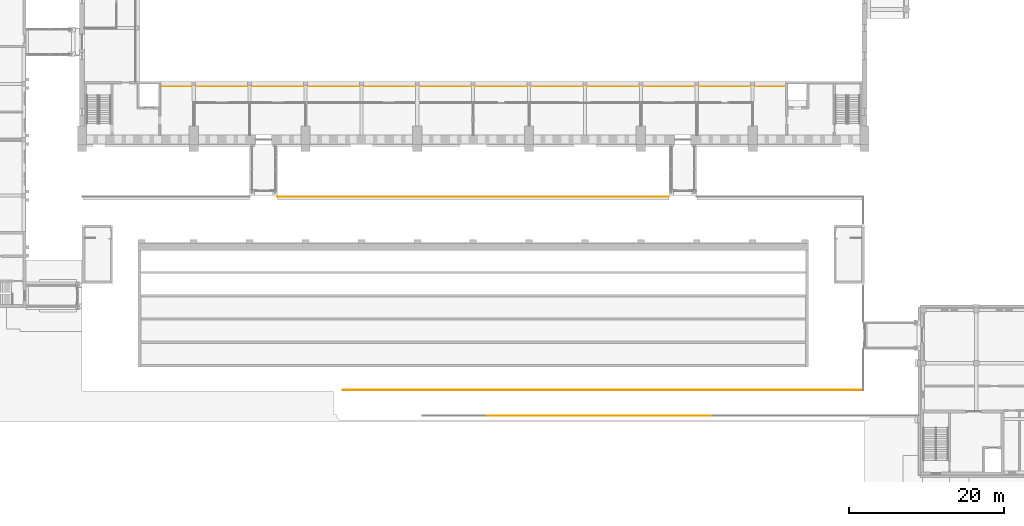
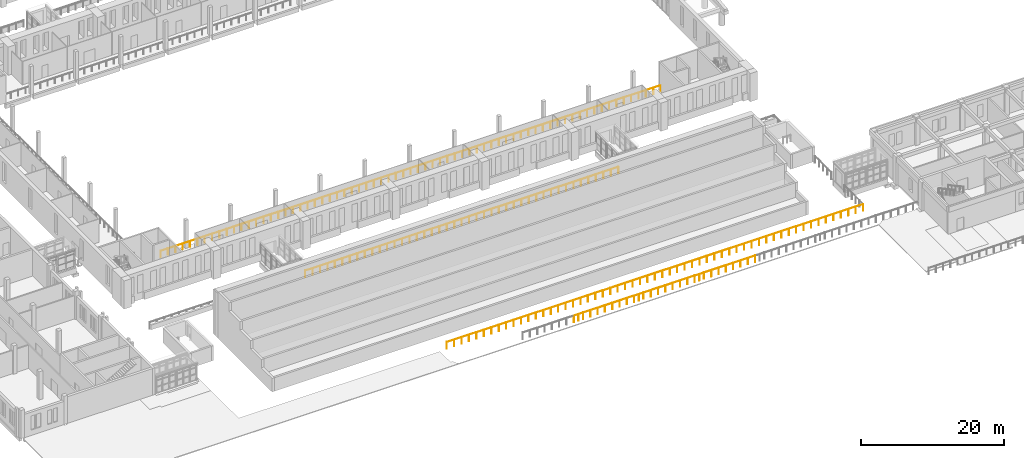
# One storey, part 116 of 131: 9 railings.
"""IFC4 building model written with IfcOpenShell, lengths in metres."""

from ifc_helpers import new_model, si_unit, direction, frame, origin, origin_2d, place, context, subcontext, project, spatial, circle, extrude, material, type_object, element, save


model = new_model("IFC4")

# Units and contexts
model_context = context("Model", 3, precision=1e-05, world=origin(), true_north=direction((0.0, 1.0)))
body_context = subcontext(model_context, "Body", "Model", "MODEL_VIEW")
ifc_project = project(units=[si_unit("LENGTHUNIT", "METRE"), si_unit("AREAUNIT", "SQUARE_METRE"), si_unit("VOLUMEUNIT", "CUBIC_METRE"), si_unit("PLANEANGLEUNIT", "RADIAN"), si_unit("MASSUNIT", "GRAM", prefix="KILO")], contexts=[model_context])

# Site, building, storey
site_placement = place(None, origin())
site = spatial("IfcSite", under=ifc_project, at=site_placement, CompositionType="ELEMENT")
building_placement = place(site_placement, origin())
building = spatial("IfcBuilding", under=site, at=building_placement, Name="Alderwick Market Hall", CompositionType="ELEMENT")
storey_placement = place(building_placement, frame((0.0, 0.0, 4.800048828125)))
storey = spatial("IfcBuildingStorey", under=building, at=storey_placement, Name="L00", CompositionType="ELEMENT", Elevation=4.800048828125)

# Railings
ifc_material_1 = material(Name="Steel ASTM A500 Grade C", Category="steel")
railing_type_1 = type_object("IfcRailingType", Name="A Roof Guard 1100", PredefinedType="GUARDRAIL", material=ifc_material_1)
railing_1_placement = place(storey_placement, frame((75.60009765625, 43.050048828125, 0.0)))
element("IfcRailing", 1, at=railing_1_placement, inside=storey, type_object=railing_type_1, Name="Roof guard", PredefinedType="GUARDRAIL", context=body_context, shape_type="SweptSolid", body=[
    extrude(circle(Radius=0.02392578125, at=origin_2d()), frame((0.0, 0.0, 1.076171875), z_axis=(1.0, 0.0, 0.0), x_axis=(0.0, 1.0, 0.0)), (0.0, 0.0, 1.0), 50.39990234375),
    extrude(circle(Radius=0.02099609375, at=origin_2d()), origin(), (0.0, 0.0, 1.0), 1.052001953125),
    extrude(circle(Radius=0.02099609375, at=origin_2d()), frame((1.199951171875, 0.0, 0.0)), (0.0, 0.0, 1.0), 1.052001953125),
    extrude(circle(Radius=0.02099609375, at=origin_2d()), frame((2.39990234375, 0.0, 0.0)), (0.0, 0.0, 1.0), 1.052001953125),
    extrude(circle(Radius=0.02099609375, at=origin_2d()), frame((3.60009765625, 0.0, 0.0)), (0.0, 0.0, 1.0), 1.052001953125),
    extrude(circle(Radius=0.02099609375, at=origin_2d()), frame((4.800048828125, 0.0, 0.0)), (0.0, 0.0, 1.0), 1.052001953125),
    extrude(circle(Radius=0.02099609375, at=origin_2d()), frame((6.0, 0.0, 0.0)), (0.0, 0.0, 1.0), 1.052001953125),
    extrude(circle(Radius=0.02099609375, at=origin_2d()), frame((7.199951171875, 0.0, 0.0)), (0.0, 0.0, 1.0), 1.052001953125),
    extrude(circle(Radius=0.02099609375, at=origin_2d()), frame((8.39990234375, 0.0, 0.0)), (0.0, 0.0, 1.0), 1.052001953125),
    extrude(circle(Radius=0.02099609375, at=origin_2d()), frame((9.60009765625, 0.0, 0.0)), (0.0, 0.0, 1.0), 1.052001953125),
    extrude(circle(Radius=0.02099609375, at=origin_2d()), frame((10.800048828125, 0.0, 0.0)), (0.0, 0.0, 1.0), 1.052001953125),
    extrude(circle(Radius=0.02099609375, at=origin_2d()), frame((12.0, 0.0, 0.0)), (0.0, 0.0, 1.0), 1.052001953125),
    extrude(circle(Radius=0.02099609375, at=origin_2d()), frame((13.199951171875, 0.0, 0.0)), (0.0, 0.0, 1.0), 1.052001953125),
    extrude(circle(Radius=0.02099609375, at=origin_2d()), frame((14.39990234375, 0.0, 0.0)), (0.0, 0.0, 1.0), 1.052001953125),
    extrude(circle(Radius=0.02099609375, at=origin_2d()), frame((15.599853515625, 0.0, 0.0)), (0.0, 0.0, 1.0), 1.052001953125),
    extrude(circle(Radius=0.02099609375, at=origin_2d()), frame((16.800048828125, 0.0, 0.0)), (0.0, 0.0, 1.0), 1.052001953125),
    extrude(circle(Radius=0.02099609375, at=origin_2d()), frame((18.0, 0.0, 0.0)), (0.0, 0.0, 1.0), 1.052001953125),
    extrude(circle(Radius=0.02099609375, at=origin_2d()), frame((19.199951171875, 0.0, 0.0)), (0.0, 0.0, 1.0), 1.052001953125),
    extrude(circle(Radius=0.02099609375, at=origin_2d()), frame((20.39990234375, 0.0, 0.0)), (0.0, 0.0, 1.0), 1.052001953125),
    extrude(circle(Radius=0.02099609375, at=origin_2d()), frame((21.599853515625, 0.0, 0.0)), (0.0, 0.0, 1.0), 1.052001953125),
    extrude(circle(Radius=0.02099609375, at=origin_2d()), frame((22.800048828125, 0.0, 0.0)), (0.0, 0.0, 1.0), 1.052001953125),
    extrude(circle(Radius=0.02099609375, at=origin_2d()), frame((24.0, 0.0, 0.0)), (0.0, 0.0, 1.0), 1.052001953125),
    extrude(circle(Radius=0.02099609375, at=origin_2d()), frame((25.199951171875, 0.0, 0.0)), (0.0, 0.0, 1.0), 1.052001953125),
    extrude(circle(Radius=0.02099609375, at=origin_2d()), frame((26.39990234375, 0.0, 0.0)), (0.0, 0.0, 1.0), 1.052001953125),
    extrude(circle(Radius=0.02099609375, at=origin_2d()), frame((27.599853515625, 0.0, 0.0)), (0.0, 0.0, 1.0), 1.052001953125),
    extrude(circle(Radius=0.02099609375, at=origin_2d()), frame((28.800048828125, 0.0, 0.0)), (0.0, 0.0, 1.0), 1.052001953125),
    extrude(circle(Radius=0.02099609375, at=origin_2d()), frame((30.0, 0.0, 0.0)), (0.0, 0.0, 1.0), 1.052001953125),
    extrude(circle(Radius=0.02099609375, at=origin_2d()), frame((31.199951171875, 0.0, 0.0)), (0.0, 0.0, 1.0), 1.052001953125),
    extrude(circle(Radius=0.02099609375, at=origin_2d()), frame((32.39990234375, 0.0, 0.0)), (0.0, 0.0, 1.0), 1.052001953125),
    extrude(circle(Radius=0.02099609375, at=origin_2d()), frame((33.599853515625, 0.0, 0.0)), (0.0, 0.0, 1.0), 1.052001953125),
    extrude(circle(Radius=0.02099609375, at=origin_2d()), frame((34.800048828125, 0.0, 0.0)), (0.0, 0.0, 1.0), 1.052001953125),
    extrude(circle(Radius=0.02099609375, at=origin_2d()), frame((36.0, 0.0, 0.0)), (0.0, 0.0, 1.0), 1.052001953125),
    extrude(circle(Radius=0.02099609375, at=origin_2d()), frame((37.199951171875, 0.0, 0.0)), (0.0, 0.0, 1.0), 1.052001953125),
    extrude(circle(Radius=0.02099609375, at=origin_2d()), frame((38.39990234375, 0.0, 0.0)), (0.0, 0.0, 1.0), 1.052001953125),
    extrude(circle(Radius=0.02099609375, at=origin_2d()), frame((39.599853515625, 0.0, 0.0)), (0.0, 0.0, 1.0), 1.052001953125),
    extrude(circle(Radius=0.02099609375, at=origin_2d()), frame((40.7998046875, 0.0, 0.0)), (0.0, 0.0, 1.0), 1.052001953125),
    extrude(circle(Radius=0.02099609375, at=origin_2d()), frame((42.0, 0.0, 0.0)), (0.0, 0.0, 1.0), 1.052001953125),
    extrude(circle(Radius=0.02099609375, at=origin_2d()), frame((43.199951171875, 0.0, 0.0)), (0.0, 0.0, 1.0), 1.052001953125),
    extrude(circle(Radius=0.02099609375, at=origin_2d()), frame((44.39990234375, 0.0, 0.0)), (0.0, 0.0, 1.0), 1.052001953125),
    extrude(circle(Radius=0.02099609375, at=origin_2d()), frame((45.599853515625, 0.0, 0.0)), (0.0, 0.0, 1.0), 1.052001953125),
    extrude(circle(Radius=0.02099609375, at=origin_2d()), frame((46.7998046875, 0.0, 0.0)), (0.0, 0.0, 1.0), 1.052001953125),
    extrude(circle(Radius=0.02099609375, at=origin_2d()), frame((48.0, 0.0, 0.0)), (0.0, 0.0, 1.0), 1.052001953125),
    extrude(circle(Radius=0.02099609375, at=origin_2d()), frame((49.199951171875, 0.0, 0.0)), (0.0, 0.0, 1.0), 1.052001953125),
    extrude(circle(Radius=0.02099609375, at=origin_2d()), frame((50.39990234375, 0.0, 0.0)), (0.0, 0.0, 1.0), 1.052001953125),
])
railing_2_placement = place(storey_placement, frame((84.0, 18.14990234375, 0.0)))
element("IfcRailing", 2, at=railing_2_placement, inside=storey, type_object=railing_type_1, Name="Roof guard", PredefinedType="GUARDRAIL", context=body_context, shape_type="SweptSolid", body=[
    extrude(circle(Radius=0.02392578125, at=origin_2d()), frame((0.0, 0.0, 1.076171875), z_axis=(1.0, 0.0, 0.0), x_axis=(0.0, 1.0, 0.0)), (0.0, 0.0, 1.0), 67.050048828125),
    extrude(circle(Radius=0.02099609375, at=origin_2d()), origin(), (0.0, 0.0, 1.0), 1.052001953125),
    extrude(circle(Radius=0.02099609375, at=origin_2d()), frame((1.197265625, 0.0, 0.0)), (0.0, 0.0, 1.0), 1.052001953125),
    extrude(circle(Radius=0.02099609375, at=origin_2d()), frame((2.39453125, 0.0, 0.0)), (0.0, 0.0, 1.0), 1.052001953125),
    extrude(circle(Radius=0.02099609375, at=origin_2d()), frame((3.592041015625, 0.0, 0.0)), (0.0, 0.0, 1.0), 1.052001953125),
    extrude(circle(Radius=0.02099609375, at=origin_2d()), frame((4.789306640625, 0.0, 0.0)), (0.0, 0.0, 1.0), 1.052001953125),
    extrude(circle(Radius=0.02099609375, at=origin_2d()), frame((5.986572265625, 0.0, 0.0)), (0.0, 0.0, 1.0), 1.052001953125),
    extrude(circle(Radius=0.02099609375, at=origin_2d()), frame((7.183837890625, 0.0, 0.0)), (0.0, 0.0, 1.0), 1.052001953125),
    extrude(circle(Radius=0.02099609375, at=origin_2d()), frame((8.38134765625, 0.0, 0.0)), (0.0, 0.0, 1.0), 1.052001953125),
    extrude(circle(Radius=0.02099609375, at=origin_2d()), frame((9.57861328125, 0.0, 0.0)), (0.0, 0.0, 1.0), 1.052001953125),
    extrude(circle(Radius=0.02099609375, at=origin_2d()), frame((10.77587890625, 0.0, 0.0)), (0.0, 0.0, 1.0), 1.052001953125),
    extrude(circle(Radius=0.02099609375, at=origin_2d()), frame((11.97314453125, 0.0, 0.0)), (0.0, 0.0, 1.0), 1.052001953125),
    extrude(circle(Radius=0.02099609375, at=origin_2d()), frame((13.170654296875, 0.0, 0.0)), (0.0, 0.0, 1.0), 1.052001953125),
    extrude(circle(Radius=0.02099609375, at=origin_2d()), frame((14.367919921875, 0.0, 0.0)), (0.0, 0.0, 1.0), 1.052001953125),
    extrude(circle(Radius=0.02099609375, at=origin_2d()), frame((15.565185546875, 0.0, 0.0)), (0.0, 0.0, 1.0), 1.052001953125),
    extrude(circle(Radius=0.02099609375, at=origin_2d()), frame((16.762451171875, 0.0, 0.0)), (0.0, 0.0, 1.0), 1.052001953125),
    extrude(circle(Radius=0.02099609375, at=origin_2d()), frame((17.959716796875, 0.0, 0.0)), (0.0, 0.0, 1.0), 1.052001953125),
    extrude(circle(Radius=0.02099609375, at=origin_2d()), frame((19.1572265625, 0.0, 0.0)), (0.0, 0.0, 1.0), 1.052001953125),
    extrude(circle(Radius=0.02099609375, at=origin_2d()), frame((20.3544921875, 0.0, 0.0)), (0.0, 0.0, 1.0), 1.052001953125),
    extrude(circle(Radius=0.02099609375, at=origin_2d()), frame((21.5517578125, 0.0, 0.0)), (0.0, 0.0, 1.0), 1.052001953125),
    extrude(circle(Radius=0.02099609375, at=origin_2d()), frame((22.7490234375, 0.0, 0.0)), (0.0, 0.0, 1.0), 1.052001953125),
    extrude(circle(Radius=0.02099609375, at=origin_2d()), frame((23.946533203125, 0.0, 0.0)), (0.0, 0.0, 1.0), 1.052001953125),
    extrude(circle(Radius=0.02099609375, at=origin_2d()), frame((25.143798828125, 0.0, 0.0)), (0.0, 0.0, 1.0), 1.052001953125),
    extrude(circle(Radius=0.02099609375, at=origin_2d()), frame((26.341064453125, 0.0, 0.0)), (0.0, 0.0, 1.0), 1.052001953125),
    extrude(circle(Radius=0.02099609375, at=origin_2d()), frame((27.538330078125, 0.0, 0.0)), (0.0, 0.0, 1.0), 1.052001953125),
    extrude(circle(Radius=0.02099609375, at=origin_2d()), frame((28.73583984375, 0.0, 0.0)), (0.0, 0.0, 1.0), 1.052001953125),
    extrude(circle(Radius=0.02099609375, at=origin_2d()), frame((29.93310546875, 0.0, 0.0)), (0.0, 0.0, 1.0), 1.052001953125),
    extrude(circle(Radius=0.02099609375, at=origin_2d()), frame((31.13037109375, 0.0, 0.0)), (0.0, 0.0, 1.0), 1.052001953125),
    extrude(circle(Radius=0.02099609375, at=origin_2d()), frame((32.32763671875, 0.0, 0.0)), (0.0, 0.0, 1.0), 1.052001953125),
    extrude(circle(Radius=0.02099609375, at=origin_2d()), frame((33.52490234375, 0.0, 0.0)), (0.0, 0.0, 1.0), 1.052001953125),
    extrude(circle(Radius=0.02099609375, at=origin_2d()), frame((34.722412109375, 0.0, 0.0)), (0.0, 0.0, 1.0), 1.052001953125),
    extrude(circle(Radius=0.02099609375, at=origin_2d()), frame((35.919677734375, 0.0, 0.0)), (0.0, 0.0, 1.0), 1.052001953125),
    extrude(circle(Radius=0.02099609375, at=origin_2d()), frame((37.116943359375, 0.0, 0.0)), (0.0, 0.0, 1.0), 1.052001953125),
    extrude(circle(Radius=0.02099609375, at=origin_2d()), frame((38.314208984375, 0.0, 0.0)), (0.0, 0.0, 1.0), 1.052001953125),
    extrude(circle(Radius=0.02099609375, at=origin_2d()), frame((39.51171875, 0.0, 0.0)), (0.0, 0.0, 1.0), 1.052001953125),
    extrude(circle(Radius=0.02099609375, at=origin_2d()), frame((40.708984375, 0.0, 0.0)), (0.0, 0.0, 1.0), 1.052001953125),
    extrude(circle(Radius=0.02099609375, at=origin_2d()), frame((41.90625, 0.0, 0.0)), (0.0, 0.0, 1.0), 1.052001953125),
    extrude(circle(Radius=0.02099609375, at=origin_2d()), frame((43.103515625, 0.0, 0.0)), (0.0, 0.0, 1.0), 1.052001953125),
    extrude(circle(Radius=0.02099609375, at=origin_2d()), frame((44.301025390625, 0.0, 0.0)), (0.0, 0.0, 1.0), 1.052001953125),
    extrude(circle(Radius=0.02099609375, at=origin_2d()), frame((45.498291015625, 0.0, 0.0)), (0.0, 0.0, 1.0), 1.052001953125),
    extrude(circle(Radius=0.02099609375, at=origin_2d()), frame((46.695556640625, 0.0, 0.0)), (0.0, 0.0, 1.0), 1.052001953125),
    extrude(circle(Radius=0.02099609375, at=origin_2d()), frame((47.892822265625, 0.0, 0.0)), (0.0, 0.0, 1.0), 1.052001953125),
    extrude(circle(Radius=0.02099609375, at=origin_2d()), frame((49.09033203125, 0.0, 0.0)), (0.0, 0.0, 1.0), 1.052001953125),
    extrude(circle(Radius=0.02099609375, at=origin_2d()), frame((50.28759765625, 0.0, 0.0)), (0.0, 0.0, 1.0), 1.052001953125),
    extrude(circle(Radius=0.02099609375, at=origin_2d()), frame((51.48486328125, 0.0, 0.0)), (0.0, 0.0, 1.0), 1.052001953125),
    extrude(circle(Radius=0.02099609375, at=origin_2d()), frame((52.68212890625, 0.0, 0.0)), (0.0, 0.0, 1.0), 1.052001953125),
    extrude(circle(Radius=0.02099609375, at=origin_2d()), frame((53.87939453125, 0.0, 0.0)), (0.0, 0.0, 1.0), 1.052001953125),
    extrude(circle(Radius=0.02099609375, at=origin_2d()), frame((55.076904296875, 0.0, 0.0)), (0.0, 0.0, 1.0), 1.052001953125),
    extrude(circle(Radius=0.02099609375, at=origin_2d()), frame((56.274169921875, 0.0, 0.0)), (0.0, 0.0, 1.0), 1.052001953125),
    extrude(circle(Radius=0.02099609375, at=origin_2d()), frame((57.471435546875, 0.0, 0.0)), (0.0, 0.0, 1.0), 1.052001953125),
    extrude(circle(Radius=0.02099609375, at=origin_2d()), frame((58.668701171875, 0.0, 0.0)), (0.0, 0.0, 1.0), 1.052001953125),
    extrude(circle(Radius=0.02099609375, at=origin_2d()), frame((59.8662109375, 0.0, 0.0)), (0.0, 0.0, 1.0), 1.052001953125),
    extrude(circle(Radius=0.02099609375, at=origin_2d()), frame((61.0634765625, 0.0, 0.0)), (0.0, 0.0, 1.0), 1.052001953125),
    extrude(circle(Radius=0.02099609375, at=origin_2d()), frame((62.2607421875, 0.0, 0.0)), (0.0, 0.0, 1.0), 1.052001953125),
    extrude(circle(Radius=0.02099609375, at=origin_2d()), frame((63.4580078125, 0.0, 0.0)), (0.0, 0.0, 1.0), 1.052001953125),
    extrude(circle(Radius=0.02099609375, at=origin_2d()), frame((64.655517578125, 0.0, 0.0)), (0.0, 0.0, 1.0), 1.052001953125),
    extrude(circle(Radius=0.02099609375, at=origin_2d()), frame((65.852783203125, 0.0, 0.0)), (0.0, 0.0, 1.0), 1.052001953125),
    extrude(circle(Radius=0.02099609375, at=origin_2d()), frame((67.050048828125, 0.0, 0.0)), (0.0, 0.0, 1.0), 1.052001953125),
])
ifc_material_2 = material(Name="Steel, painted", Category="steel")
railing_type_2 = type_object("IfcRailingType", Name="H Guard 1100", PredefinedType="GUARDRAIL", material=ifc_material_2)
railing_3_placement = place(storey_placement, frame((60.550048828125, 57.300048828125, 0.0)))
element("IfcRailing", 3, at=railing_3_placement, inside=storey, type_object=railing_type_2, Name="Gallery guard S L00", PredefinedType="GUARDRAIL", context=body_context, shape_type="SweptSolid", body=[
    extrude(circle(Radius=0.02392578125, at=origin_2d()), frame((0.0, 0.0, 1.076171875), z_axis=(1.0, 0.0, 0.0), x_axis=(0.0, 1.0, 0.0)), (0.0, 0.0, 1.0), 80.5),
    extrude(circle(Radius=0.02099609375, at=origin_2d()), origin(), (0.0, 0.0, 1.0), 1.052001953125),
    extrude(circle(Radius=0.02099609375, at=origin_2d()), frame((1.183837890625, 0.0, 0.0)), (0.0, 0.0, 1.0), 1.052001953125),
    extrude(circle(Radius=0.02099609375, at=origin_2d()), frame((2.36767578125, 0.0, 0.0)), (0.0, 0.0, 1.0), 1.052001953125),
    extrude(circle(Radius=0.02099609375, at=origin_2d()), frame((3.551513671875, 0.0, 0.0)), (0.0, 0.0, 1.0), 1.052001953125),
    extrude(circle(Radius=0.02099609375, at=origin_2d()), frame((4.7353515625, 0.0, 0.0)), (0.0, 0.0, 1.0), 1.052001953125),
    extrude(circle(Radius=0.02099609375, at=origin_2d()), frame((5.919189453125, 0.0, 0.0)), (0.0, 0.0, 1.0), 1.052001953125),
    extrude(circle(Radius=0.02099609375, at=origin_2d()), frame((7.10302734375, 0.0, 0.0)), (0.0, 0.0, 1.0), 1.052001953125),
    extrude(circle(Radius=0.02099609375, at=origin_2d()), frame((8.286865234375, 0.0, 0.0)), (0.0, 0.0, 1.0), 1.052001953125),
    extrude(circle(Radius=0.02099609375, at=origin_2d()), frame((9.470703125, 0.0, 0.0)), (0.0, 0.0, 1.0), 1.052001953125),
    extrude(circle(Radius=0.02099609375, at=origin_2d()), frame((10.654296875, 0.0, 0.0)), (0.0, 0.0, 1.0), 1.052001953125),
    extrude(circle(Radius=0.02099609375, at=origin_2d()), frame((11.838134765625, 0.0, 0.0)), (0.0, 0.0, 1.0), 1.052001953125),
    extrude(circle(Radius=0.02099609375, at=origin_2d()), frame((13.02197265625, 0.0, 0.0)), (0.0, 0.0, 1.0), 1.052001953125),
    extrude(circle(Radius=0.02099609375, at=origin_2d()), frame((14.205810546875, 0.0, 0.0)), (0.0, 0.0, 1.0), 1.052001953125),
    extrude(circle(Radius=0.02099609375, at=origin_2d()), frame((15.3896484375, 0.0, 0.0)), (0.0, 0.0, 1.0), 1.052001953125),
    extrude(circle(Radius=0.02099609375, at=origin_2d()), frame((16.573486328125, 0.0, 0.0)), (0.0, 0.0, 1.0), 1.052001953125),
    extrude(circle(Radius=0.02099609375, at=origin_2d()), frame((17.75732421875, 0.0, 0.0)), (0.0, 0.0, 1.0), 1.052001953125),
    extrude(circle(Radius=0.02099609375, at=origin_2d()), frame((18.941162109375, 0.0, 0.0)), (0.0, 0.0, 1.0), 1.052001953125),
    extrude(circle(Radius=0.02099609375, at=origin_2d()), frame((20.125, 0.0, 0.0)), (0.0, 0.0, 1.0), 1.052001953125),
    extrude(circle(Radius=0.02099609375, at=origin_2d()), frame((21.308837890625, 0.0, 0.0)), (0.0, 0.0, 1.0), 1.052001953125),
    extrude(circle(Radius=0.02099609375, at=origin_2d()), frame((22.49267578125, 0.0, 0.0)), (0.0, 0.0, 1.0), 1.052001953125),
    extrude(circle(Radius=0.02099609375, at=origin_2d()), frame((23.676513671875, 0.0, 0.0)), (0.0, 0.0, 1.0), 1.052001953125),
    extrude(circle(Radius=0.02099609375, at=origin_2d()), frame((24.8603515625, 0.0, 0.0)), (0.0, 0.0, 1.0), 1.052001953125),
    extrude(circle(Radius=0.02099609375, at=origin_2d()), frame((26.044189453125, 0.0, 0.0)), (0.0, 0.0, 1.0), 1.052001953125),
    extrude(circle(Radius=0.02099609375, at=origin_2d()), frame((27.22802734375, 0.0, 0.0)), (0.0, 0.0, 1.0), 1.052001953125),
    extrude(circle(Radius=0.02099609375, at=origin_2d()), frame((28.411865234375, 0.0, 0.0)), (0.0, 0.0, 1.0), 1.052001953125),
    extrude(circle(Radius=0.02099609375, at=origin_2d()), frame((29.595703125, 0.0, 0.0)), (0.0, 0.0, 1.0), 1.052001953125),
    extrude(circle(Radius=0.02099609375, at=origin_2d()), frame((30.779296875, 0.0, 0.0)), (0.0, 0.0, 1.0), 1.052001953125),
    extrude(circle(Radius=0.02099609375, at=origin_2d()), frame((31.963134765625, 0.0, 0.0)), (0.0, 0.0, 1.0), 1.052001953125),
    extrude(circle(Radius=0.02099609375, at=origin_2d()), frame((33.14697265625, 0.0, 0.0)), (0.0, 0.0, 1.0), 1.052001953125),
    extrude(circle(Radius=0.02099609375, at=origin_2d()), frame((34.330810546875, 0.0, 0.0)), (0.0, 0.0, 1.0), 1.052001953125),
    extrude(circle(Radius=0.02099609375, at=origin_2d()), frame((35.5146484375, 0.0, 0.0)), (0.0, 0.0, 1.0), 1.052001953125),
    extrude(circle(Radius=0.02099609375, at=origin_2d()), frame((36.698486328125, 0.0, 0.0)), (0.0, 0.0, 1.0), 1.052001953125),
    extrude(circle(Radius=0.02099609375, at=origin_2d()), frame((37.88232421875, 0.0, 0.0)), (0.0, 0.0, 1.0), 1.052001953125),
    extrude(circle(Radius=0.02099609375, at=origin_2d()), frame((39.066162109375, 0.0, 0.0)), (0.0, 0.0, 1.0), 1.052001953125),
    extrude(circle(Radius=0.02099609375, at=origin_2d()), frame((40.25, 0.0, 0.0)), (0.0, 0.0, 1.0), 1.052001953125),
    extrude(circle(Radius=0.02099609375, at=origin_2d()), frame((41.433837890625, 0.0, 0.0)), (0.0, 0.0, 1.0), 1.052001953125),
    extrude(circle(Radius=0.02099609375, at=origin_2d()), frame((42.61767578125, 0.0, 0.0)), (0.0, 0.0, 1.0), 1.052001953125),
    extrude(circle(Radius=0.02099609375, at=origin_2d()), frame((43.801513671875, 0.0, 0.0)), (0.0, 0.0, 1.0), 1.052001953125),
    extrude(circle(Radius=0.02099609375, at=origin_2d()), frame((44.9853515625, 0.0, 0.0)), (0.0, 0.0, 1.0), 1.052001953125),
    extrude(circle(Radius=0.02099609375, at=origin_2d()), frame((46.169189453125, 0.0, 0.0)), (0.0, 0.0, 1.0), 1.052001953125),
    extrude(circle(Radius=0.02099609375, at=origin_2d()), frame((47.35302734375, 0.0, 0.0)), (0.0, 0.0, 1.0), 1.052001953125),
    extrude(circle(Radius=0.02099609375, at=origin_2d()), frame((48.536865234375, 0.0, 0.0)), (0.0, 0.0, 1.0), 1.052001953125),
    extrude(circle(Radius=0.02099609375, at=origin_2d()), frame((49.720703125, 0.0, 0.0)), (0.0, 0.0, 1.0), 1.052001953125),
    extrude(circle(Radius=0.02099609375, at=origin_2d()), frame((50.904296875, 0.0, 0.0)), (0.0, 0.0, 1.0), 1.052001953125),
    extrude(circle(Radius=0.02099609375, at=origin_2d()), frame((52.088134765625, 0.0, 0.0)), (0.0, 0.0, 1.0), 1.052001953125),
    extrude(circle(Radius=0.02099609375, at=origin_2d()), frame((53.27197265625, 0.0, 0.0)), (0.0, 0.0, 1.0), 1.052001953125),
    extrude(circle(Radius=0.02099609375, at=origin_2d()), frame((54.455810546875, 0.0, 0.0)), (0.0, 0.0, 1.0), 1.052001953125),
    extrude(circle(Radius=0.02099609375, at=origin_2d()), frame((55.6396484375, 0.0, 0.0)), (0.0, 0.0, 1.0), 1.052001953125),
    extrude(circle(Radius=0.02099609375, at=origin_2d()), frame((56.823486328125, 0.0, 0.0)), (0.0, 0.0, 1.0), 1.052001953125),
    extrude(circle(Radius=0.02099609375, at=origin_2d()), frame((58.00732421875, 0.0, 0.0)), (0.0, 0.0, 1.0), 1.052001953125),
    extrude(circle(Radius=0.02099609375, at=origin_2d()), frame((59.191162109375, 0.0, 0.0)), (0.0, 0.0, 1.0), 1.052001953125),
    extrude(circle(Radius=0.02099609375, at=origin_2d()), frame((60.375, 0.0, 0.0)), (0.0, 0.0, 1.0), 1.052001953125),
    extrude(circle(Radius=0.02099609375, at=origin_2d()), frame((61.558837890625, 0.0, 0.0)), (0.0, 0.0, 1.0), 1.052001953125),
    extrude(circle(Radius=0.02099609375, at=origin_2d()), frame((62.74267578125, 0.0, 0.0)), (0.0, 0.0, 1.0), 1.052001953125),
    extrude(circle(Radius=0.02099609375, at=origin_2d()), frame((63.926513671875, 0.0, 0.0)), (0.0, 0.0, 1.0), 1.052001953125),
    extrude(circle(Radius=0.02099609375, at=origin_2d()), frame((65.1103515625, 0.0, 0.0)), (0.0, 0.0, 1.0), 1.052001953125),
    extrude(circle(Radius=0.02099609375, at=origin_2d()), frame((66.294189453125, 0.0, 0.0)), (0.0, 0.0, 1.0), 1.052001953125),
    extrude(circle(Radius=0.02099609375, at=origin_2d()), frame((67.47802734375, 0.0, 0.0)), (0.0, 0.0, 1.0), 1.052001953125),
    extrude(circle(Radius=0.02099609375, at=origin_2d()), frame((68.661865234375, 0.0, 0.0)), (0.0, 0.0, 1.0), 1.052001953125),
    extrude(circle(Radius=0.02099609375, at=origin_2d()), frame((69.845703125, 0.0, 0.0)), (0.0, 0.0, 1.0), 1.052001953125),
    extrude(circle(Radius=0.02099609375, at=origin_2d()), frame((71.029296875, 0.0, 0.0)), (0.0, 0.0, 1.0), 1.052001953125),
    extrude(circle(Radius=0.02099609375, at=origin_2d()), frame((72.213134765625, 0.0, 0.0)), (0.0, 0.0, 1.0), 1.052001953125),
    extrude(circle(Radius=0.02099609375, at=origin_2d()), frame((73.39697265625, 0.0, 0.0)), (0.0, 0.0, 1.0), 1.052001953125),
    extrude(circle(Radius=0.02099609375, at=origin_2d()), frame((74.580810546875, 0.0, 0.0)), (0.0, 0.0, 1.0), 1.052001953125),
    extrude(circle(Radius=0.02099609375, at=origin_2d()), frame((75.7646484375, 0.0, 0.0)), (0.0, 0.0, 1.0), 1.052001953125),
    extrude(circle(Radius=0.02099609375, at=origin_2d()), frame((76.948486328125, 0.0, 0.0)), (0.0, 0.0, 1.0), 1.052001953125),
    extrude(circle(Radius=0.02099609375, at=origin_2d()), frame((78.13232421875, 0.0, 0.0)), (0.0, 0.0, 1.0), 1.052001953125),
    extrude(circle(Radius=0.02099609375, at=origin_2d()), frame((79.316162109375, 0.0, 0.0)), (0.0, 0.0, 1.0), 1.052001953125),
    extrude(circle(Radius=0.02099609375, at=origin_2d()), frame((80.5, 0.0, 0.0)), (0.0, 0.0, 1.0), 1.052001953125),
])
railing_type_3 = type_object("IfcRailingType", Name="S Guard 1100", PredefinedType="GUARDRAIL", material=ifc_material_1)
railing_4_placement = place(storey_placement, frame((131.742919921875, 14.85009765625, 0.0)))
element("IfcRailing", 4, at=railing_4_placement, inside=storey, type_object=railing_type_3, Name="Guard S.06", PredefinedType="GUARDRAIL", context=body_context, shape_type="SweptSolid", body=[
    extrude(circle(Radius=0.02490234375, at=origin_2d()), frame((0.0, 0.0, 1.0751953125), z_axis=(-1.0, 0.0, 0.0), x_axis=(0.0, -1.0, 0.0)), (0.0, 0.0, 1.0), 8.22900390625),
    extrude(circle(Radius=0.02001953125, at=origin_2d()), origin(), (0.0, 0.0, 1.0), 1.050048828125),
    extrude(circle(Radius=0.02001953125, at=origin_2d()), frame((-1.175537109375, 0.0, 0.0)), (0.0, 0.0, 1.0), 1.050048828125),
    extrude(circle(Radius=0.02001953125, at=origin_2d()), frame((-2.35107421875, 0.0, 0.0)), (0.0, 0.0, 1.0), 1.050048828125),
    extrude(circle(Radius=0.02001953125, at=origin_2d()), frame((-3.526611328125, 0.0, 0.0)), (0.0, 0.0, 1.0), 1.050048828125),
    extrude(circle(Radius=0.02001953125, at=origin_2d()), frame((-4.702392578125, 0.0, 0.0)), (0.0, 0.0, 1.0), 1.050048828125),
    extrude(circle(Radius=0.02001953125, at=origin_2d()), frame((-5.8779296875, 0.0, 0.0)), (0.0, 0.0, 1.0), 1.050048828125),
    extrude(circle(Radius=0.02001953125, at=origin_2d()), frame((-7.053466796875, 0.0, 0.0)), (0.0, 0.0, 1.0), 1.050048828125),
    extrude(circle(Radius=0.02001953125, at=origin_2d()), frame((-8.22900390625, 0.0, 0.0)), (0.0, 0.0, 1.0), 1.050048828125),
])
railing_5_placement = place(storey_placement, frame((123.513916015625, 14.85009765625, 0.0)))
element("IfcRailing", 5, at=railing_5_placement, inside=storey, type_object=railing_type_3, Name="Guard S.07", PredefinedType="GUARDRAIL", context=body_context, shape_type="SweptSolid", body=[
    extrude(circle(Radius=0.02490234375, at=origin_2d()), frame((0.0, 0.0, 1.0751953125), z_axis=(-1.0, 0.0, 0.0), x_axis=(0.0, -1.0, 0.0)), (0.0, 0.0, 1.0), 1.5),
    extrude(circle(Radius=0.02001953125, at=origin_2d()), origin(), (0.0, 0.0, 1.0), 1.050048828125),
    extrude(circle(Radius=0.02001953125, at=origin_2d()), frame((-0.75, 0.0, 0.0)), (0.0, 0.0, 1.0), 1.050048828125),
    extrude(circle(Radius=0.02001953125, at=origin_2d()), frame((-1.5, 0.0, 0.0)), (0.0, 0.0, 1.0), 1.050048828125),
])
railing_6_placement = place(storey_placement, frame((122.013916015625, 14.85009765625, 0.0)))
element("IfcRailing", 6, at=railing_6_placement, inside=storey, type_object=railing_type_3, Name="Guard S.08", PredefinedType="GUARDRAIL", context=body_context, shape_type="SweptSolid", body=[
    extrude(circle(Radius=0.02490234375, at=origin_2d()), frame((0.0, 0.0, 1.0751953125), z_axis=(-1.0, 0.0, 0.0), x_axis=(0.0, -1.0, 0.0)), (0.0, 0.0, 1.0), 8.22802734375),
    extrude(circle(Radius=0.02001953125, at=origin_2d()), origin(), (0.0, 0.0, 1.0), 1.050048828125),
    extrude(circle(Radius=0.02001953125, at=origin_2d()), frame((-1.175537109375, 0.0, 0.0)), (0.0, 0.0, 1.0), 1.050048828125),
    extrude(circle(Radius=0.02001953125, at=origin_2d()), frame((-2.350830078125, 0.0, 0.0)), (0.0, 0.0, 1.0), 1.050048828125),
    extrude(circle(Radius=0.02001953125, at=origin_2d()), frame((-3.5263671875, 0.0, 0.0)), (0.0, 0.0, 1.0), 1.050048828125),
    extrude(circle(Radius=0.02001953125, at=origin_2d()), frame((-4.70166015625, 0.0, 0.0)), (0.0, 0.0, 1.0), 1.050048828125),
    extrude(circle(Radius=0.02001953125, at=origin_2d()), frame((-5.877197265625, 0.0, 0.0)), (0.0, 0.0, 1.0), 1.050048828125),
    extrude(circle(Radius=0.02001953125, at=origin_2d()), frame((-7.052490234375, 0.0, 0.0)), (0.0, 0.0, 1.0), 1.050048828125),
    extrude(circle(Radius=0.02001953125, at=origin_2d()), frame((-8.22802734375, 0.0, 0.0)), (0.0, 0.0, 1.0), 1.050048828125),
])
railing_7_placement = place(storey_placement, frame((113.785888671875, 14.85009765625, 0.0)))
element("IfcRailing", 7, at=railing_7_placement, inside=storey, type_object=railing_type_3, Name="Guard S.09", PredefinedType="GUARDRAIL", context=body_context, shape_type="SweptSolid", body=[
    extrude(circle(Radius=0.02490234375, at=origin_2d()), frame((0.0, 0.0, 1.0751953125), z_axis=(-1.0, 0.0, 0.0), x_axis=(0.0, -1.0, 0.0)), (0.0, 0.0, 1.0), 1.5),
    extrude(circle(Radius=0.02001953125, at=origin_2d()), origin(), (0.0, 0.0, 1.0), 1.050048828125),
    extrude(circle(Radius=0.02001953125, at=origin_2d()), frame((-0.75, 0.0, 0.0)), (0.0, 0.0, 1.0), 1.050048828125),
    extrude(circle(Radius=0.02001953125, at=origin_2d()), frame((-1.5, 0.0, 0.0)), (0.0, 0.0, 1.0), 1.050048828125),
])
railing_8_placement = place(storey_placement, frame((112.285888671875, 14.85009765625, 0.0)))
element("IfcRailing", 8, at=railing_8_placement, inside=storey, type_object=railing_type_3, Name="Guard S.10", PredefinedType="GUARDRAIL", context=body_context, shape_type="SweptSolid", body=[
    extrude(circle(Radius=0.02490234375, at=origin_2d()), frame((0.0, 0.0, 1.0751953125), z_axis=(-1.0, 0.0, 0.0), x_axis=(0.0, -1.0, 0.0)), (0.0, 0.0, 1.0), 8.22900390625),
    extrude(circle(Radius=0.02001953125, at=origin_2d()), origin(), (0.0, 0.0, 1.0), 1.050048828125),
    extrude(circle(Radius=0.02001953125, at=origin_2d()), frame((-1.175537109375, 0.0, 0.0)), (0.0, 0.0, 1.0), 1.050048828125),
    extrude(circle(Radius=0.02001953125, at=origin_2d()), frame((-2.35107421875, 0.0, 0.0)), (0.0, 0.0, 1.0), 1.050048828125),
    extrude(circle(Radius=0.02001953125, at=origin_2d()), frame((-3.526611328125, 0.0, 0.0)), (0.0, 0.0, 1.0), 1.050048828125),
    extrude(circle(Radius=0.02001953125, at=origin_2d()), frame((-4.702392578125, 0.0, 0.0)), (0.0, 0.0, 1.0), 1.050048828125),
    extrude(circle(Radius=0.02001953125, at=origin_2d()), frame((-5.8779296875, 0.0, 0.0)), (0.0, 0.0, 1.0), 1.050048828125),
    extrude(circle(Radius=0.02001953125, at=origin_2d()), frame((-7.053466796875, 0.0, 0.0)), (0.0, 0.0, 1.0), 1.050048828125),
    extrude(circle(Radius=0.02001953125, at=origin_2d()), frame((-8.22900390625, 0.0, 0.0)), (0.0, 0.0, 1.0), 1.050048828125),
])
railing_9_placement = place(storey_placement, frame((104.056884765625, 14.85009765625, 0.0)))
element("IfcRailing", 9, at=railing_9_placement, inside=storey, type_object=railing_type_3, Name="Guard S.11", PredefinedType="GUARDRAIL", context=body_context, shape_type="SweptSolid", body=[
    extrude(circle(Radius=0.02490234375, at=origin_2d()), frame((0.0, 0.0, 1.0751953125), z_axis=(-1.0, 0.0, 0.0), x_axis=(0.0, -1.0, 0.0)), (0.0, 0.0, 1.0), 1.5),
    extrude(circle(Radius=0.02001953125, at=origin_2d()), origin(), (0.0, 0.0, 1.0), 1.050048828125),
    extrude(circle(Radius=0.02001953125, at=origin_2d()), frame((-0.75, 0.0, 0.0)), (0.0, 0.0, 1.0), 1.050048828125),
    extrude(circle(Radius=0.02001953125, at=origin_2d()), frame((-1.5, 0.0, 0.0)), (0.0, 0.0, 1.0), 1.050048828125),
])

save(model, "model.ifc")
